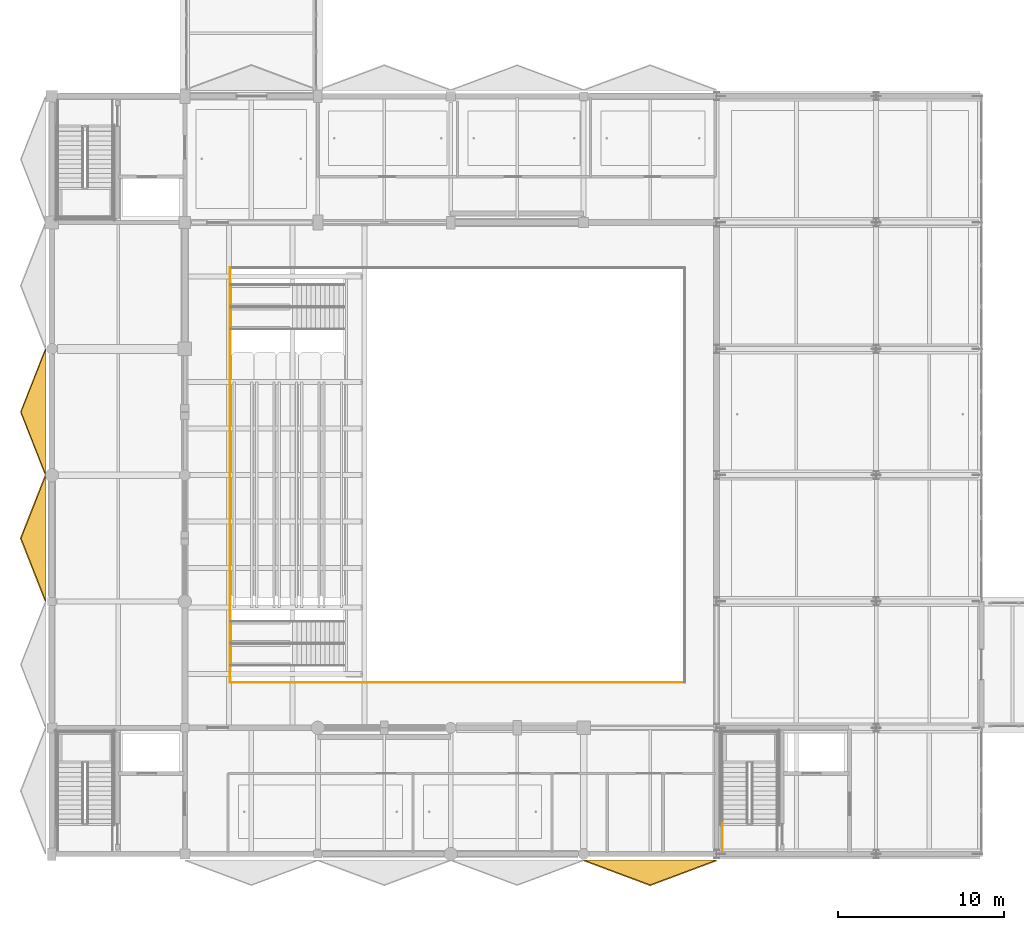
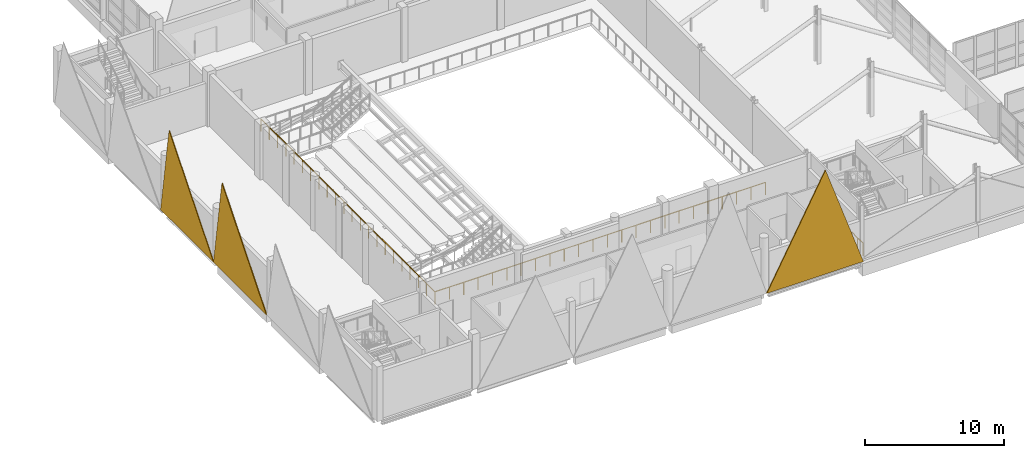
# One storey, part 128 of 141: 3 coverings, 3 railings.
"""IFC4 building model written with IfcOpenShell, lengths in metres."""

from ifc_helpers import new_model, si_unit, direction, frame, origin, origin_2d, place, context, subcontext, project, spatial, polyline, circle, outline, extrude, material, layer, layer_set, type_object, element, save


model = new_model("IFC4")

# Units and contexts
model_context = context("Model", 3, precision=1e-05, world=origin(), true_north=direction((0.0, 1.0)))
body_context = subcontext(model_context, "Body", "Model", "MODEL_VIEW")
ifc_project = project(units=[si_unit("LENGTHUNIT", "METRE"), si_unit("AREAUNIT", "SQUARE_METRE"), si_unit("VOLUMEUNIT", "CUBIC_METRE"), si_unit("PLANEANGLEUNIT", "RADIAN"), si_unit("MASSUNIT", "GRAM", prefix="KILO")], contexts=[model_context])

# Site, building, storey
site_placement = place(None, origin())
site = spatial("IfcSite", under=ifc_project, at=site_placement, CompositionType="ELEMENT")
building_placement = place(site_placement, origin())
building = spatial("IfcBuilding", under=site, at=building_placement, Name="Khelvaren Railside Concert Hall", CompositionType="ELEMENT")
storey_placement = place(building_placement, frame((0.0, 0.0, 10.199951171875)))
storey = spatial("IfcBuildingStorey", under=building, at=storey_placement, Name="L02", CompositionType="ELEMENT", Elevation=10.199951171875)

# Coverings
ifc_material_1 = material(Name="Precast architectural concrete C45/55", Category="concrete")
ifc_layer_1 = layer(ifc_material_1, 0.06005859375)
ifc_layer_set_1 = layer_set([ifc_layer_1], Name="Precast architectural concrete C45/55")
covering_type_1 = type_object("IfcCoveringType", Name="CLD31", PredefinedType="CLADDING", material=ifc_layer_set_1)
covering_1_placement = place(storey_placement, frame((-0.35498046875, 22.800048828125, 0.0), z_axis=(0.988455067535, 0.0, 0.151514287985), x_axis=(0.0, 1.0, 0.0)))
element("IfcCovering", 1, at=covering_1_placement, inside=storey, type_object=covering_type_1, Name="Main Hall Cut-Crystal West Lower Facet 4", PredefinedType="CLADDING", context=body_context, shape_type="SweptSolid", body=[
    extrude(outline(polyline([(0.0, 0.0), (7.599853515625, 0.0), (3.800048828125, 9.867829677195841), (0.0, 0.0)])), origin(), (0.0, 0.0, -1.0), 0.06005859375),
])
ifc_material_2 = material(Name="Board-marked precast concrete C45/55", Category="concrete")
ifc_layer_2 = layer(ifc_material_2, 0.070068359375)
ifc_layer_set_2 = layer_set([ifc_layer_2], Name="Board-marked precast concrete C45/55")
covering_type_2 = type_object("IfcCoveringType", Name="CLD68", PredefinedType="CLADDING", material=ifc_layer_set_2)
covering_2_placement = place(storey_placement, frame((32.0, -0.35498046875, 0.0), z_axis=(0.0, 0.989646805502, 0.143524215239), x_axis=(1.0, 0.0, 0.0)))
element("IfcCovering", 2, at=covering_2_placement, inside=storey, type_object=covering_type_2, Name="Main Hall Cut-Crystal Lower Facet S-5", PredefinedType="CLADDING", context=body_context, shape_type="SweptSolid", body=[
    extrude(outline(polyline([(0.0, 0.0), (8.0, 0.0), (4.0, -10.417177233899055), (0.0, 0.0)])), origin(), (0.0, 0.0, -1.0), 0.070068359375),
])
covering_3_placement = place(storey_placement, frame((-0.35498046875, 15.199951171875, 0.0), z_axis=(0.988455067535, 0.0, 0.151514287985), x_axis=(0.0, 1.0, 0.0)))
element("IfcCovering", 3, at=covering_3_placement, inside=storey, type_object=covering_type_2, Name="Main Hall Cut-Crystal West Lower Facet 3", PredefinedType="CLADDING", context=body_context, shape_type="SweptSolid", body=[
    extrude(outline(polyline([(0.0, 0.0), (7.60009765625, 0.0), (3.800048828125, 9.867829677195843), (0.0, 0.0)])), origin(), (0.0, 0.0, -1.0), 0.070068359375),
])

# Railings
ifc_material_3 = material(Name="Painted architectural steel", Category="steel")
railing_type_1 = type_object("IfcRailingType", Name="GRD86", PredefinedType="GUARDRAIL", material=ifc_material_3)
railing_1_placement = place(storey_placement, frame((40.35009765625, 0.239990234375, 0.0)))
element("IfcRailing", 4, at=railing_1_placement, inside=storey, type_object=railing_type_1, Name="L02 ST-02 stair guard 9", PredefinedType="GUARDRAIL", context=body_context, shape_type="SweptSolid", body=[
    extrude(circle(Radius=0.02392578125, at=origin_2d()), frame((0.0, 0.0, 1.076171875), z_axis=(0.0, 1.0, 0.0), x_axis=(-1.0, 0.0, 0.0)), (0.0, 0.0, 1.0), 1.60009765625),
    extrude(circle(Radius=0.02099609375, at=origin_2d()), origin(), (0.0, 0.0, 1.0), 1.052001953125),
    extrude(circle(Radius=0.02099609375, at=origin_2d()), frame((0.0, 0.800048828125, 0.0)), (0.0, 0.0, 1.0), 1.052001953125),
    extrude(circle(Radius=0.02099609375, at=origin_2d()), frame((0.0, 1.60009765625, 0.0)), (0.0, 0.0, 1.0), 1.052001953125),
])
ifc_material_4 = material(Name="Acoustic bronze and laminated glass guardrail", Category="glass")
railing_type_2 = type_object("IfcRailingType", Name="GRD91", PredefinedType="GUARDRAIL", material=ifc_material_4)
railing_2_placement = place(storey_placement, frame((10.719970703125, 10.320068359375, 0.0)))
element("IfcRailing", 5, at=railing_2_placement, inside=storey, type_object=railing_type_2, Name="V1 L02 Acoustic Bowl Edge Guardrail S", PredefinedType="GUARDRAIL", context=body_context, shape_type="SweptSolid", body=[
    extrude(circle(Radius=0.02392578125, at=origin_2d()), frame((0.0, 0.0, 1.076171875), z_axis=(1.0, 0.0, 0.0), x_axis=(0.0, 1.0, 0.0)), (0.0, 0.0, 1.0), 27.360107421875),
    extrude(circle(Radius=0.02099609375, at=origin_2d()), origin(), (0.0, 0.0, 1.0), 1.052001953125),
    extrude(circle(Radius=0.02099609375, at=origin_2d()), frame((1.189453125, 0.0, 0.0)), (0.0, 0.0, 1.0), 1.052001953125),
    extrude(circle(Radius=0.02099609375, at=origin_2d()), frame((2.379150390625, 0.0, 0.0)), (0.0, 0.0, 1.0), 1.052001953125),
    extrude(circle(Radius=0.02099609375, at=origin_2d()), frame((3.568603515625, 0.0, 0.0)), (0.0, 0.0, 1.0), 1.052001953125),
    extrude(circle(Radius=0.02099609375, at=origin_2d()), frame((4.75830078125, 0.0, 0.0)), (0.0, 0.0, 1.0), 1.052001953125),
    extrude(circle(Radius=0.02099609375, at=origin_2d()), frame((5.94775390625, 0.0, 0.0)), (0.0, 0.0, 1.0), 1.052001953125),
    extrude(circle(Radius=0.02099609375, at=origin_2d()), frame((7.137451171875, 0.0, 0.0)), (0.0, 0.0, 1.0), 1.052001953125),
    extrude(circle(Radius=0.02099609375, at=origin_2d()), frame((8.326904296875, 0.0, 0.0)), (0.0, 0.0, 1.0), 1.052001953125),
    extrude(circle(Radius=0.02099609375, at=origin_2d()), frame((9.5166015625, 0.0, 0.0)), (0.0, 0.0, 1.0), 1.052001953125),
    extrude(circle(Radius=0.02099609375, at=origin_2d()), frame((10.7060546875, 0.0, 0.0)), (0.0, 0.0, 1.0), 1.052001953125),
    extrude(circle(Radius=0.02099609375, at=origin_2d()), frame((11.895751953125, 0.0, 0.0)), (0.0, 0.0, 1.0), 1.052001953125),
    extrude(circle(Radius=0.02099609375, at=origin_2d()), frame((13.085205078125, 0.0, 0.0)), (0.0, 0.0, 1.0), 1.052001953125),
    extrude(circle(Radius=0.02099609375, at=origin_2d()), frame((14.27490234375, 0.0, 0.0)), (0.0, 0.0, 1.0), 1.052001953125),
    extrude(circle(Radius=0.02099609375, at=origin_2d()), frame((15.46435546875, 0.0, 0.0)), (0.0, 0.0, 1.0), 1.052001953125),
    extrude(circle(Radius=0.02099609375, at=origin_2d()), frame((16.654052734375, 0.0, 0.0)), (0.0, 0.0, 1.0), 1.052001953125),
    extrude(circle(Radius=0.02099609375, at=origin_2d()), frame((17.843505859375, 0.0, 0.0)), (0.0, 0.0, 1.0), 1.052001953125),
    extrude(circle(Radius=0.02099609375, at=origin_2d()), frame((19.033203125, 0.0, 0.0)), (0.0, 0.0, 1.0), 1.052001953125),
    extrude(circle(Radius=0.02099609375, at=origin_2d()), frame((20.22265625, 0.0, 0.0)), (0.0, 0.0, 1.0), 1.052001953125),
    extrude(circle(Radius=0.02099609375, at=origin_2d()), frame((21.412353515625, 0.0, 0.0)), (0.0, 0.0, 1.0), 1.052001953125),
    extrude(circle(Radius=0.02099609375, at=origin_2d()), frame((22.601806640625, 0.0, 0.0)), (0.0, 0.0, 1.0), 1.052001953125),
    extrude(circle(Radius=0.02099609375, at=origin_2d()), frame((23.79150390625, 0.0, 0.0)), (0.0, 0.0, 1.0), 1.052001953125),
    extrude(circle(Radius=0.02099609375, at=origin_2d()), frame((24.98095703125, 0.0, 0.0)), (0.0, 0.0, 1.0), 1.052001953125),
    extrude(circle(Radius=0.02099609375, at=origin_2d()), frame((26.170654296875, 0.0, 0.0)), (0.0, 0.0, 1.0), 1.052001953125),
    extrude(circle(Radius=0.02099609375, at=origin_2d()), frame((27.360107421875, 0.0, 0.0)), (0.0, 0.0, 1.0), 1.052001953125),
])
railing_3_placement = place(storey_placement, frame((10.719970703125, 35.280029296875, 0.0)))
element("IfcRailing", 6, at=railing_3_placement, inside=storey, type_object=railing_type_2, Name="V1 L02 Acoustic Bowl Edge Guardrail W", PredefinedType="GUARDRAIL", context=body_context, shape_type="SweptSolid", body=[
    extrude(circle(Radius=0.02392578125, at=origin_2d()), frame((0.0, 0.0, 1.076171875), z_axis=(0.0, -1.0, 0.0), x_axis=(1.0, 0.0, 0.0)), (0.0, 0.0, 1.0), 24.9599609375),
    extrude(circle(Radius=0.02099609375, at=origin_2d()), origin(), (0.0, 0.0, 1.0), 1.052001953125),
    extrude(circle(Radius=0.02099609375, at=origin_2d()), frame((0.0, -1.1884765625, 0.0)), (0.0, 0.0, 1.0), 1.052001953125),
    extrude(circle(Radius=0.02099609375, at=origin_2d()), frame((0.0, -2.377197265625, 0.0)), (0.0, 0.0, 1.0), 1.052001953125),
    extrude(circle(Radius=0.02099609375, at=origin_2d()), frame((0.0, -3.565673828125, 0.0)), (0.0, 0.0, 1.0), 1.052001953125),
    extrude(circle(Radius=0.02099609375, at=origin_2d()), frame((0.0, -4.75439453125, 0.0)), (0.0, 0.0, 1.0), 1.052001953125),
    extrude(circle(Radius=0.02099609375, at=origin_2d()), frame((0.0, -5.94287109375, 0.0)), (0.0, 0.0, 1.0), 1.052001953125),
    extrude(circle(Radius=0.02099609375, at=origin_2d()), frame((0.0, -7.13134765625, 0.0)), (0.0, 0.0, 1.0), 1.052001953125),
    extrude(circle(Radius=0.02099609375, at=origin_2d()), frame((0.0, -8.320068359375, 0.0)), (0.0, 0.0, 1.0), 1.052001953125),
    extrude(circle(Radius=0.02099609375, at=origin_2d()), frame((0.0, -9.508544921875, 0.0)), (0.0, 0.0, 1.0), 1.052001953125),
    extrude(circle(Radius=0.02099609375, at=origin_2d()), frame((0.0, -10.697021484375, 0.0)), (0.0, 0.0, 1.0), 1.052001953125),
    extrude(circle(Radius=0.02099609375, at=origin_2d()), frame((0.0, -11.8857421875, 0.0)), (0.0, 0.0, 1.0), 1.052001953125),
    extrude(circle(Radius=0.02099609375, at=origin_2d()), frame((0.0, -13.07421875, 0.0)), (0.0, 0.0, 1.0), 1.052001953125),
    extrude(circle(Radius=0.02099609375, at=origin_2d()), frame((0.0, -14.262939453125, 0.0)), (0.0, 0.0, 1.0), 1.052001953125),
    extrude(circle(Radius=0.02099609375, at=origin_2d()), frame((0.0, -15.451416015625, 0.0)), (0.0, 0.0, 1.0), 1.052001953125),
    extrude(circle(Radius=0.02099609375, at=origin_2d()), frame((0.0, -16.639892578125, 0.0)), (0.0, 0.0, 1.0), 1.052001953125),
    extrude(circle(Radius=0.02099609375, at=origin_2d()), frame((0.0, -17.82861328125, 0.0)), (0.0, 0.0, 1.0), 1.052001953125),
    extrude(circle(Radius=0.02099609375, at=origin_2d()), frame((0.0, -19.01708984375, 0.0)), (0.0, 0.0, 1.0), 1.052001953125),
    extrude(circle(Radius=0.02099609375, at=origin_2d()), frame((0.0, -20.20556640625, 0.0)), (0.0, 0.0, 1.0), 1.052001953125),
    extrude(circle(Radius=0.02099609375, at=origin_2d()), frame((0.0, -21.394287109375, 0.0)), (0.0, 0.0, 1.0), 1.052001953125),
    extrude(circle(Radius=0.02099609375, at=origin_2d()), frame((0.0, -22.582763671875, 0.0)), (0.0, 0.0, 1.0), 1.052001953125),
    extrude(circle(Radius=0.02099609375, at=origin_2d()), frame((0.0, -23.771484375, 0.0)), (0.0, 0.0, 1.0), 1.052001953125),
    extrude(circle(Radius=0.02099609375, at=origin_2d()), frame((0.0, -24.9599609375, 0.0)), (0.0, 0.0, 1.0), 1.052001953125),
])

save(model, "model.ifc")
